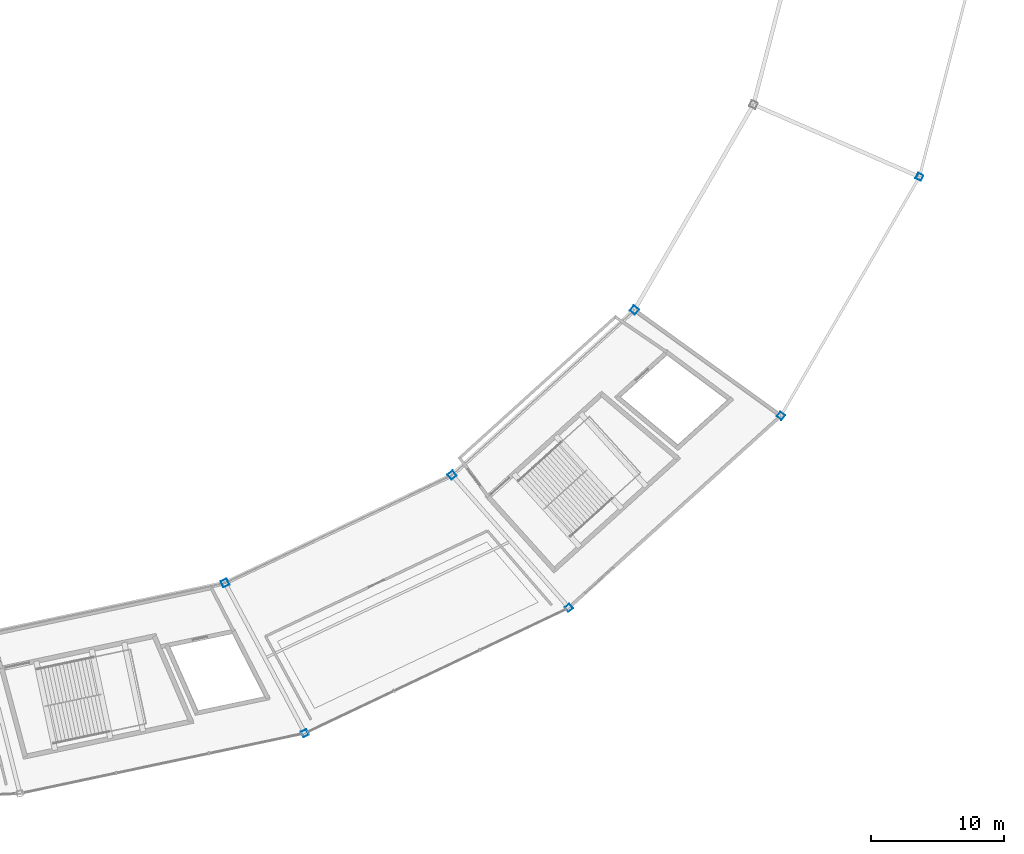
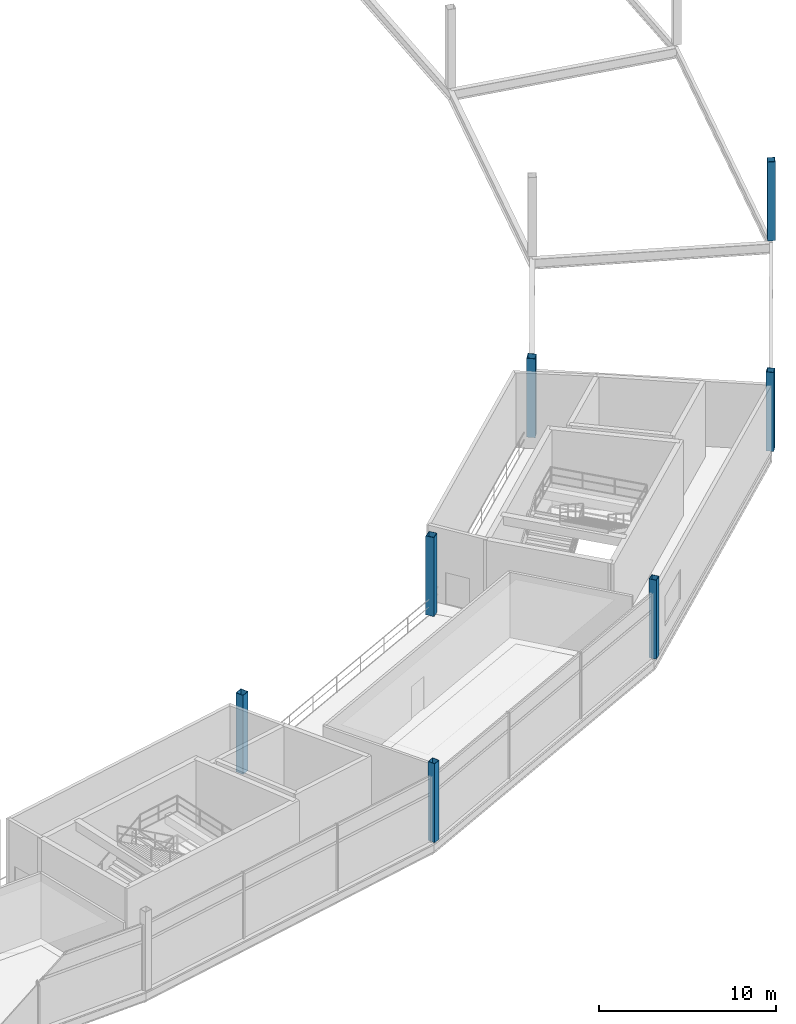
# One storey, part 5 of 103: 7 columns.
"""IFC4 building model written with IfcOpenShell, lengths in metres."""

from ifc_helpers import new_model, si_unit, direction, frame, origin, origin_2d, place, context, subcontext, project, spatial, hollow_rectangle, extrude, material, material_profile, profile_set, type_object, element, save


model = new_model("IFC4")

# Units and contexts
model_context = context("Model", 3, precision=1e-05, world=origin(), true_north=direction((0.0, 1.0)))
body_context = subcontext(model_context, "Body", "Model", "MODEL_VIEW")
ifc_project = project(units=[si_unit("LENGTHUNIT", "METRE"), si_unit("AREAUNIT", "SQUARE_METRE"), si_unit("VOLUMEUNIT", "CUBIC_METRE"), si_unit("PLANEANGLEUNIT", "RADIAN"), si_unit("MASSUNIT", "GRAM", prefix="KILO")], contexts=[model_context])

# Site, building, storey
site_placement = place(None, origin())
site = spatial("IfcSite", under=ifc_project, at=site_placement, CompositionType="ELEMENT")
building_placement = place(site_placement, origin())
building = spatial("IfcBuilding", under=site, at=building_placement, Name="Kazemori Nagisa Stadium", CompositionType="ELEMENT")
storey_placement = place(building_placement, frame((0.0, 0.0, 25.840087890625)))
storey = spatial("IfcBuildingStorey", under=building, at=storey_placement, Name="L05", CompositionType="ELEMENT", Elevation=25.840087890625)

# Columns
ifc_material = material(Name="Steel STKR490", Category="steel")
ifc_material_profile_1 = material_profile(ifc_material, hollow_rectangle(XDim=0.449951171875, YDim=0.449951171875, WallThickness=0.02197265625, at=origin_2d()), Name="SHS-450x450x22")
ifc_profile_set_1 = profile_set([ifc_material_profile_1], Name="Steel STKR490")
column_type_1 = type_object("IfcColumnType", Name="Column_C-ST450", PredefinedType="COLUMN", material=ifc_profile_set_1)
for number, where, z_axis, x_axis, name in (
    (1, (165.8046875, 21.53564453125, 0.0), (0.0, 0.0, 1.0), (0.433883739113, -0.900968867905, 0.0), "Column C-ST450 L05 R3-24"),
    (2, (185.597900390625, 30.94091796875, 0.0), (0.0, 0.0, 1.0), (0.623489801853, -0.781831482473, 0.0), "Column C-ST450 L05 R3-25"),
    (3, (201.495361328125, 45.332275390625, 0.0), (0.0, 0.0, 1.0), (0.781831482473, -0.623489801853, 0.0), "Column C-ST450 L05 R3-26"),
    (4, (211.885009765625, 63.25048828125, 0.0), (0.0, 0.0, 1.0), (0.900968867905, -0.433883739113, 0.0), "Column C-ST450 L05 R3-27"),
):
    element("IfcColumn", number, at=place(storey_placement, frame(where, z_axis=z_axis, x_axis=x_axis)), inside=storey, type_object=column_type_1, Name=name, PredefinedType="COLUMN", context=body_context, shape_type="SweptSolid", body=[
        extrude(hollow_rectangle(XDim=0.449951171875, YDim=0.449951171875, WallThickness=0.02197265625, at=origin_2d()), origin(), (0.0, 0.0, 1.0), 5.43994140625),
    ])
ifc_material_profile_2 = material_profile(ifc_material, hollow_rectangle(XDim=0.5, YDim=0.5, WallThickness=0.02197265625, at=origin_2d()), Name="SHS-500x500x22")
ifc_profile_set_2 = profile_set([ifc_material_profile_2], Name="Steel STKR490")
column_type_2 = type_object("IfcColumnType", Name="Column_C-ST500", PredefinedType="COLUMN", material=ifc_profile_set_2)
for number, where, z_axis, x_axis, name in (
    (5, (159.81201171875, 32.80078125, 0.0), (0.0, 0.0, 1.0), (0.433883739113, -0.900968867905, 0.0), "Column C-ST500 L05 R2-24"),
    (6, (176.834228515625, 40.88916015625, 0.0), (0.0, 0.0, 1.0), (0.623489801853, -0.781831482473, 0.0), "Column C-ST500 L05 R2-25"),
    (7, (190.506103515625, 53.265869140625, 0.0), (0.0, 0.0, 1.0), (0.781831482473, -0.623489801853, 0.0), "Column C-ST500 L05 R2-26"),
):
    element("IfcColumn", number, at=place(storey_placement, frame(where, z_axis=z_axis, x_axis=x_axis)), inside=storey, type_object=column_type_2, Name=name, PredefinedType="COLUMN", context=body_context, shape_type="SweptSolid", body=[
        extrude(hollow_rectangle(XDim=0.5, YDim=0.5, WallThickness=0.02197265625, at=origin_2d()), origin(), (0.0, 0.0, 1.0), 5.43994140625),
    ])

save(model, "model.ifc")
